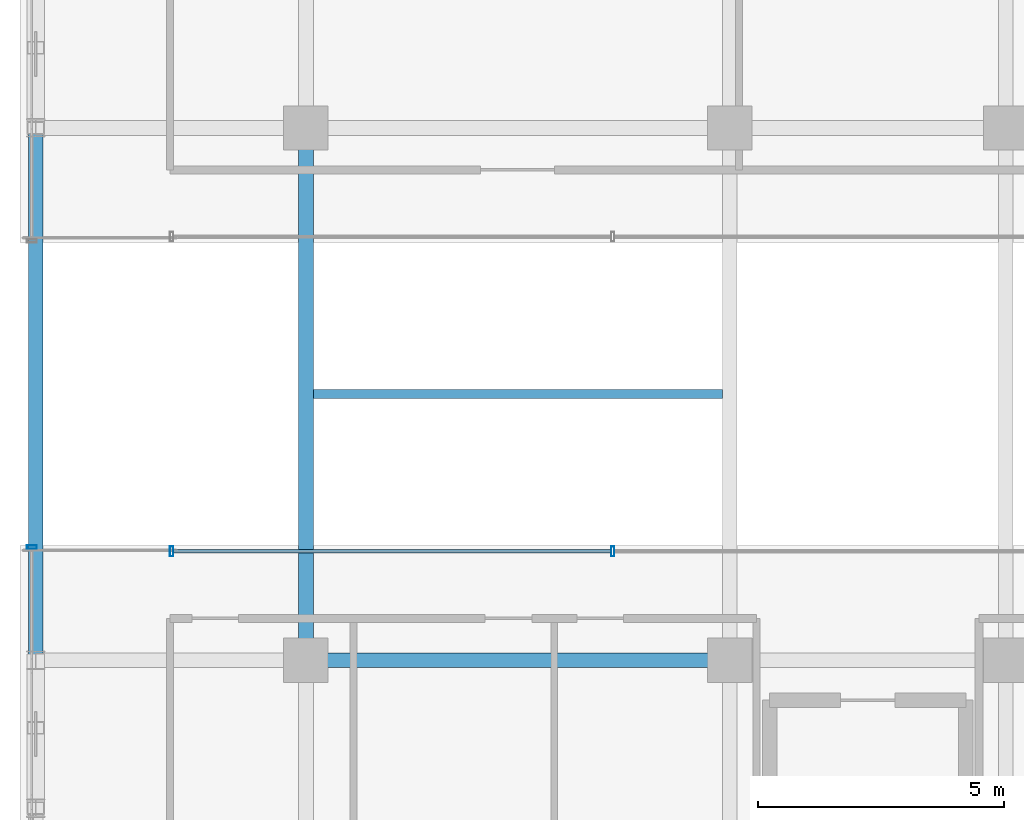
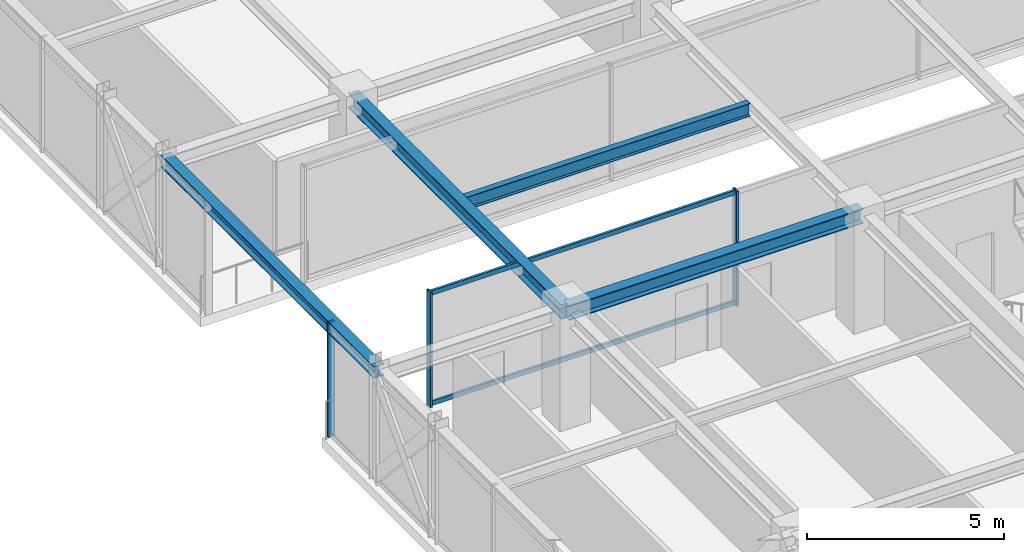
# One storey, part 10 of 39: 5 members, 4 beams, 2 elements without a shape of their own.
"""IFC4 building model written with IfcOpenShell, lengths in metres."""

from ifc_helpers import new_model, si_unit, direction, frame, origin, origin_2d, place, context, subcontext, project, spatial, hollow_rectangle, i_section, extrude, source, transform, mapped, material, material_profile, profile_set, type_object, element, aggregate, save


model = new_model("IFC4")

# Units and contexts
model_context = context("Model", 3, precision=1e-05, world=origin(), true_north=direction((0.0, 1.0)))
body_context = subcontext(model_context, "Body", "Model", "MODEL_VIEW")
ifc_project = project(units=[si_unit("LENGTHUNIT", "METRE"), si_unit("AREAUNIT", "SQUARE_METRE"), si_unit("VOLUMEUNIT", "CUBIC_METRE"), si_unit("PLANEANGLEUNIT", "RADIAN"), si_unit("MASSUNIT", "GRAM", prefix="KILO")], contexts=[model_context])

# Site, building, storey
site_placement = place(None, origin())
site = spatial("IfcSite", under=ifc_project, at=site_placement, CompositionType="ELEMENT")
building_placement = place(site_placement, origin())
building = spatial("IfcBuilding", under=site, at=building_placement, Name="Nahalor Promenade Grand Hotel", CompositionType="ELEMENT")
storey_placement = place(building_placement, frame((0.0, 0.0, 311.89990234375)))
storey = spatial("IfcBuildingStorey", under=building, at=storey_placement, Name="L80", CompositionType="ELEMENT", Elevation=311.89990234375)

# Beams
ifc_material_1 = material(Name="Steel S355JR", Category="steel")
ifc_material_profile_1 = material_profile(ifc_material_1, i_section(OverallWidth=0.3, OverallDepth=0.45, WebThickness=0.014, FlangeThickness=0.026, at=origin_2d()), Name="HEB 450")
ifc_profile_set_1 = profile_set([ifc_material_profile_1], Name="Steel S355JR")
beam_type_1 = type_object("IfcBeamType", Name="Beam-Girder-HEB450", PredefinedType="BEAM", material=ifc_profile_set_1)
shared_shape_1 = source(origin(), body_context, "Body", "SweptSolid", [
    extrude(i_section(OverallWidth=0.3, OverallDepth=0.45, WebThickness=0.014, FlangeThickness=0.026, at=origin_2d()), origin(), (0.0, 0.0, 1.0), 8.60009765625),
])
beam_1_placement = place(storey_placement, frame((-17.0, -5.39990234375, 3.3251953125), z_axis=(1.0, 0.0, 0.0), x_axis=(0.0, 1.0, 0.0)))
element("IfcBeam", 1, at=beam_1_placement, inside=storey, type_object=beam_type_1, Name="BM-L80-GX-1-1", PredefinedType="BEAM", context=body_context, shape_type="MappedRepresentation", body=[
    mapped(shared_shape_1, transform((0.0, 0.0, 0.0), scale=1.0)),
])
shared_shape_2 = source(origin(), body_context, "Body", "SweptSolid", [
    extrude(i_section(OverallWidth=0.3, OverallDepth=0.45, WebThickness=0.014, FlangeThickness=0.026, at=origin_2d()), origin(), (0.0, 0.0, 1.0), 10.7998046875),
])
beam_2_placement = place(storey_placement, frame((-17.0, -5.39990234375, 3.3251953125), z_axis=(0.0, 1.0, 0.0), x_axis=(-1.0, 0.0, 0.0)))
element("IfcBeam", 2, at=beam_2_placement, inside=storey, type_object=beam_type_1, Name="BM-L80-GY-0-2", PredefinedType="BEAM", context=body_context, shape_type="MappedRepresentation", body=[
    mapped(shared_shape_2, transform((0.0, 0.0, 0.0), scale=1.0)),
])
ifc_material_profile_2 = material_profile(ifc_material_1, i_section(OverallWidth=0.18, OverallDepth=0.4, WebThickness=0.0086, FlangeThickness=0.0135, at=origin_2d()), Name="IPE 400")
ifc_profile_set_2 = profile_set([ifc_material_profile_2], Name="Steel S355JR")
beam_type_2 = type_object("IfcBeamType", Name="Beam-Joist-IPE400", PredefinedType="JOIST", material=ifc_profile_set_2)
shared_shape_3 = source(origin(), body_context, "Body", "SweptSolid", [
    extrude(i_section(OverallWidth=0.18, OverallDepth=0.4, WebThickness=0.0086, FlangeThickness=0.0135, at=origin_2d()), origin(), (0.0, 0.0, 1.0), 8.300048828125),
])
beam_3_placement = place(storey_placement, frame((-16.85009765625, 0.0, 3.35009765625), z_axis=(1.0, 0.0, 0.0), x_axis=(0.0, 1.0, 0.0)))
element("IfcBeam", 3, at=beam_3_placement, inside=storey, type_object=beam_type_2, Name="BM-L80-JSC-0", PredefinedType="JOIST", context=body_context, shape_type="MappedRepresentation", body=[
    mapped(shared_shape_3, transform((0.0, 0.0, 0.0), scale=1.0)),
])
ifc_material_profile_3 = material_profile(ifc_material_1, i_section(OverallWidth=0.3, OverallDepth=0.36, WebThickness=0.0125, FlangeThickness=0.0225, at=origin_2d()), Name="HEB 360")
ifc_profile_set_3 = profile_set([ifc_material_profile_3], Name="Steel S355JR")
beam_type_3 = type_object("IfcBeamType", Name="Beam-Spandrel-HEB360", PredefinedType="SPANDREL", material=ifc_profile_set_3)
shared_shape_4 = source(origin(), body_context, "Body", "SweptSolid", [
    extrude(i_section(OverallWidth=0.3, OverallDepth=0.36, WebThickness=0.0125, FlangeThickness=0.0225, at=origin_2d()), origin(), (0.0, 0.0, 1.0), 10.7998046875),
])
beam_4_placement = place(storey_placement, frame((-22.47998046875, -5.39990234375, 3.3701171875), z_axis=(0.0, 1.0, 0.0), x_axis=(-1.0, 0.0, 0.0)))
element("IfcBeam", 4, at=beam_4_placement, inside=storey, type_object=beam_type_3, Name="BM-L80-SP-W-2", PredefinedType="SPANDREL", context=body_context, shape_type="MappedRepresentation", body=[
    mapped(shared_shape_4, transform((0.0, 0.0, 0.0), scale=1.0)),
])

# Curtain wall, members
ifc_material_2 = material(Name="Anodised Bronze Aluminium EN AW-6063 T6", Category="aluminium")
curtain_wall_type = type_object("IfcCurtainWallType", Name="CW3 Elliptical-Void Collar Unitised Curtain Wall", PredefinedType="USERDEFINED", material=ifc_material_2)
curtain_wall_1_placement = place(storey_placement, origin())
curtain_wall_1 = element("IfcCurtainWall", 5, at=curtain_wall_1_placement, inside=storey, type_object=curtain_wall_type, Name="L80 Curtain Wall CW-L80-VOID-WS1", ObjectType="UNITISED_CURTAIN_WALL", PredefinedType="USERDEFINED")
ifc_material_profile_4 = material_profile(ifc_material_2, hollow_rectangle(XDim=0.07, YDim=0.14, WallThickness=0.004, at=origin_2d()), Name="CWT 70x140x4")
ifc_profile_set_4 = profile_set([ifc_material_profile_4], Name="Anodised Bronze Aluminium EN AW-6063 T6")
member_type_1 = type_object("IfcMemberType", Name="CWT3 Void Collar Transom 70x140", PredefinedType="USERDEFINED", material=ifc_profile_set_4)
shared_shape_5 = source(origin(), body_context, "Body", "SweptSolid", [
    extrude(hollow_rectangle(XDim=0.07, YDim=0.14, WallThickness=0.004, at=origin_2d()), origin(), (0.0, 0.0, 1.0), 8.881591796875),
])
member_1_placement = place(storey_placement, frame((-19.68994140625, -3.19091796875, 0.070068359375), z_axis=(1.0, 0.0, 0.0), x_axis=(0.0, 1.0, 0.0)))
member_1 = element("IfcMember", 6, at=member_1_placement, type_object=member_type_1, Name="CW-L80-VOID-WS1 Transom 0-0", ObjectType="TRANSOM", PredefinedType="USERDEFINED", context=body_context, shape_type="MappedRepresentation", body=[
    mapped(shared_shape_5, transform((0.0, 0.0, 0.0), scale=1.0)),
])
member_2_placement = place(storey_placement, frame((-19.68994140625, -3.19091796875, 3.47998046875), z_axis=(1.0, 0.0, 0.0), x_axis=(0.0, 1.0, 0.0)))
member_2 = element("IfcMember", 7, at=member_2_placement, type_object=member_type_1, Name="CW-L80-VOID-WS1 Transom 0-1", ObjectType="TRANSOM", PredefinedType="USERDEFINED", context=body_context, shape_type="MappedRepresentation", body=[
    mapped(shared_shape_5, transform((0.0, 0.0, 0.0), scale=1.0)),
])

# Curtain wall, member
curtain_wall_2_placement = place(storey_placement, origin())
curtain_wall_2 = element("IfcCurtainWall", 8, at=curtain_wall_2_placement, inside=storey, type_object=curtain_wall_type, Name="L80 Curtain Wall CW-L80-W-1", ObjectType="UNITISED_CURTAIN_WALL", PredefinedType="USERDEFINED")
ifc_material_profile_5 = material_profile(ifc_material_2, hollow_rectangle(XDim=0.07, YDim=0.2, WallThickness=0.005, at=origin_2d()), Name="CWM 70x200x5")
ifc_profile_set_5 = profile_set([ifc_material_profile_5], Name="Anodised Bronze Aluminium EN AW-6063 T6")
member_type_2 = type_object("IfcMemberType", Name="CWM3 Void Collar Mullion 70x200", PredefinedType="MULLION", material=ifc_profile_set_5)
shared_shape_6 = source(origin(), body_context, "Body", "SweptSolid", [
    extrude(hollow_rectangle(XDim=0.07, YDim=0.2, WallThickness=0.005, at=origin_2d()), origin(), (0.0, 0.0, 1.0), 3.550048828125),
])
member_3_placement = place(storey_placement, frame((-22.56005859375, -3.10595703125, 0.0), z_axis=(0.0, 0.0, 1.0), x_axis=(0.0, 1.0, 0.0)))
member_3 = element("IfcMember", 9, at=member_3_placement, type_object=member_type_2, Name="CW-L80-W-1 Mullion 2", PredefinedType="MULLION", context=body_context, shape_type="MappedRepresentation", body=[
    mapped(shared_shape_6, transform((0.0, 0.0, 0.0), scale=1.0)),
])
aggregate(curtain_wall_2, [member_3])

# Member
member_4_placement = place(storey_placement, frame((-19.72509765625, -3.19091796875, 0.0), z_axis=(0.0, 0.0, 1.0), x_axis=(1.0, 0.0, 0.0)))
member_4 = element("IfcMember", 10, at=member_4_placement, type_object=member_type_2, Name="CW-L80-VOID-WS1 Mullion 0", PredefinedType="MULLION", context=body_context, shape_type="MappedRepresentation", body=[
    mapped(shared_shape_6, transform((0.0, 0.0, 0.0), scale=1.0)),
])

member_5_placement = place(storey_placement, frame((-10.7734375, -3.19091796875, 0.0), z_axis=(0.0, 0.0, 1.0), x_axis=(1.0, 0.0, 0.0)))
member_5 = element("IfcMember", 11, at=member_5_placement, type_object=member_type_2, Name="CW-L80-VOID-WS1 Mullion 1", PredefinedType="MULLION", context=body_context, shape_type="MappedRepresentation", body=[
    mapped(shared_shape_6, transform((0.0, 0.0, 0.0), scale=1.0)),
])

aggregate(curtain_wall_1, [member_4, member_5, member_1, member_2])

save(model, "model.ifc")
